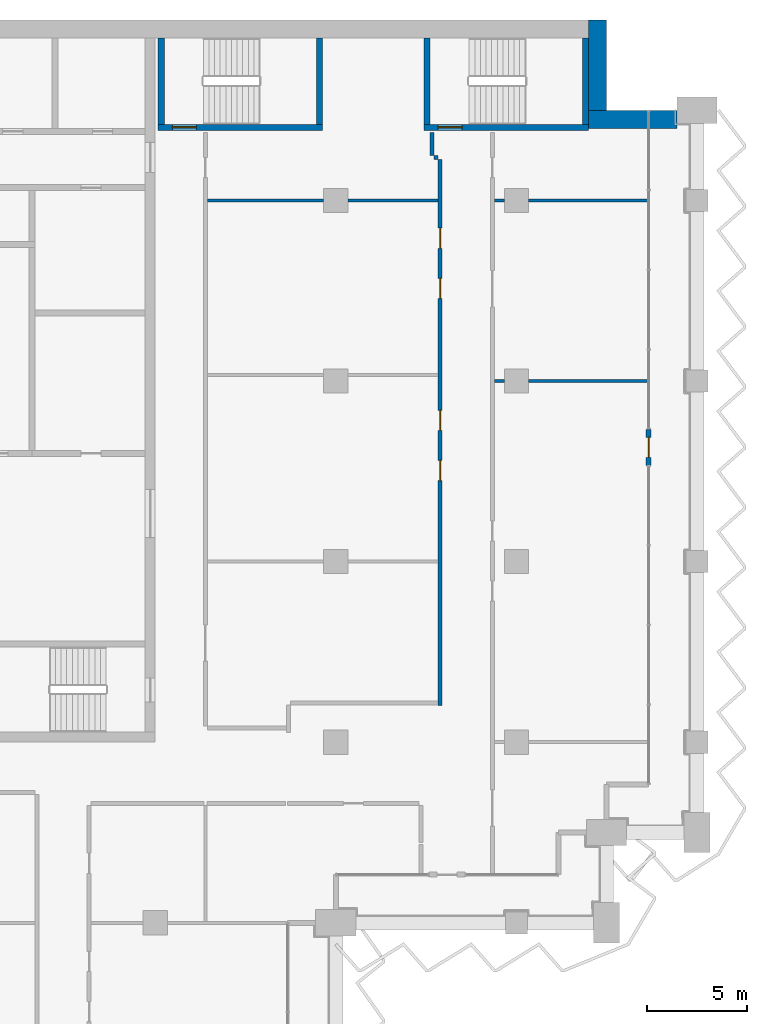
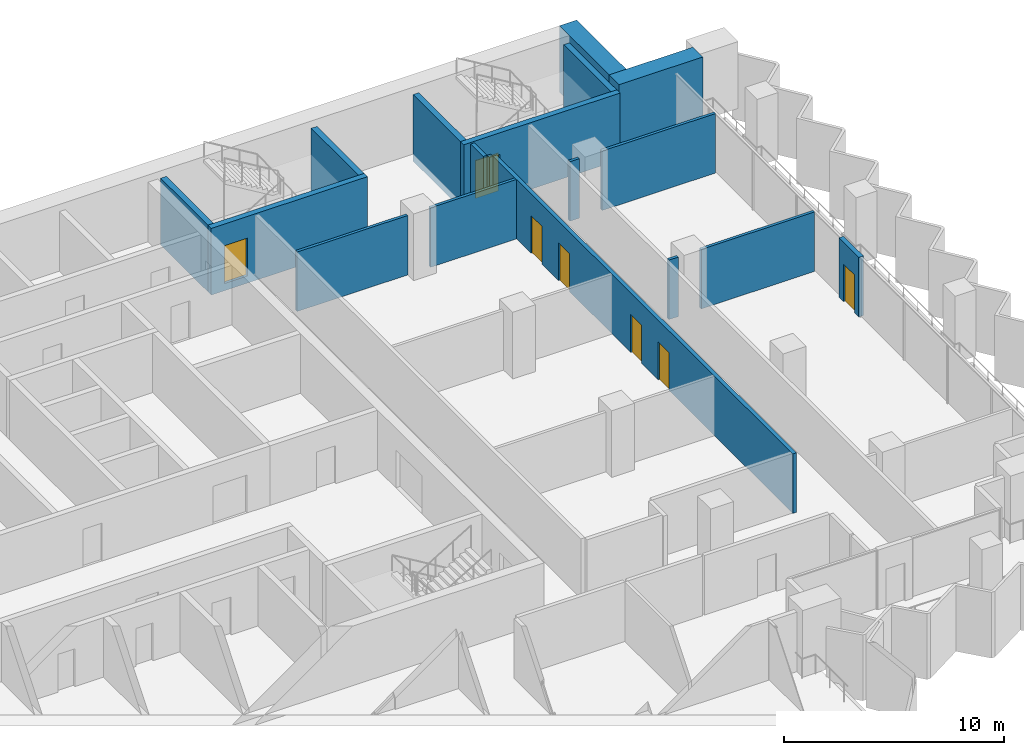
# One storey, part 15 of 23: 18 walls, 7 doors, 7 openings.
"""IFC4 building model written with IfcOpenShell, lengths in metres."""

from ifc_helpers import new_model, si_unit, direction, frame, frame_2d, origin, place, context, subcontext, project, spatial, rectangle, extrude, material, layer, layer_set, type_object, element, fill, save


model = new_model("IFC4")

# Units and contexts
model_context = context("Model", 3, precision=1e-05, world=origin(), true_north=direction((0.0, 1.0)))
body_context = subcontext(model_context, "Body", "Model", "MODEL_VIEW")
ifc_project = project(units=[si_unit("LENGTHUNIT", "METRE"), si_unit("AREAUNIT", "SQUARE_METRE"), si_unit("VOLUMEUNIT", "CUBIC_METRE"), si_unit("PLANEANGLEUNIT", "RADIAN"), si_unit("MASSUNIT", "GRAM", prefix="KILO")], contexts=[model_context])

# Site, building, storey
site_placement = place(None, origin())
site = spatial("IfcSite", under=ifc_project, at=site_placement, CompositionType="ELEMENT")
building_placement = place(site_placement, origin())
building = spatial("IfcBuilding", under=site, at=building_placement, Name="Hunhe Ridgeline Campus", CompositionType="ELEMENT")
storey_placement = place(building_placement, frame((0.0, 0.0, 148.60009765625)))
storey = spatial("IfcBuildingStorey", under=building, at=storey_placement, Name="L37", CompositionType="ELEMENT", Elevation=148.60009765625)

# Walls
ifc_material_1 = material(Name="Gypsum board partition")
ifc_layer_1 = layer(ifc_material_1, 0.199951171875)
ifc_layer_set_1 = layer_set([ifc_layer_1], Name="Corridor partition 200 gypsum board on steel studs")
wall_type_1 = type_object("IfcWallType", Name="Corridor partition 200 gypsum board on steel studs", PredefinedType="PARTITIONING", material=ifc_layer_set_1)
wall_1_placement = place(storey_placement, frame((50.10009765625, 92.14990234375, 0.0), z_axis=(0.0, 0.0, 1.0), x_axis=(-1.0, 0.0, 0.0)))
element("IfcWall", 1, at=wall_1_placement, inside=storey, type_object=wall_type_1, Name="F-L37-wall-058", PredefinedType="PARTITIONING", context=body_context, shape_type="SweptSolid", body=[
    extrude(rectangle(XDim=0.2001953125, YDim=0.199951171875, at=frame_2d((0.10009765625, 0.0))), origin(), (0.0, 0.0, 1.0), 3.2998046875),
])
wall_2_placement = place(storey_placement, frame((49.800048828125, 92.25, 0.0), z_axis=(0.0, 0.0, 1.0), x_axis=(0.0, 1.0, 0.0)))
element("IfcWall", 2, at=wall_2_placement, inside=storey, type_object=wall_type_1, Name="F-L37-wall-074", PredefinedType="PARTITIONING", context=body_context, shape_type="SweptSolid", body=[
    extrude(rectangle(XDim=1.14599609375, YDim=0.199951171875, at=frame_2d((0.572998046875, 0.0))), origin(), (0.0, 0.0, 1.0), 3.2998046875),
])

# Wall, openings, doors
wall_3_placement = place(storey_placement, frame((50.199951171875, 64.820068359375, 0.0), z_axis=(0.0, 0.0, 1.0), x_axis=(0.0, 1.0, 0.0)))
wall_3 = element("IfcWall", 3, at=wall_3_placement, inside=storey, type_object=wall_type_1, Name="F-L37-wall-075", PredefinedType="PARTITIONING", context=body_context, shape_type="SweptSolid", body=[
    extrude(rectangle(XDim=27.22998046875, YDim=0.199951171875, at=frame_2d((13.614990234375, 0.0))), origin(), (0.0, 0.0, 1.0), 3.2998046875),
])
opening_1_placement = place(wall_3_placement, frame((11.22412109375, 0.0, 0.0)))
opening_1 = element("IfcOpeningElement", 4, at=opening_1_placement, cuts=wall_3, Name="Opening RD1-031", PredefinedType="OPENING", context=body_context, shape_type="SweptSolid", body=[
    extrude(rectangle(XDim=1.0, YDim=2.10009765625, at=frame_2d((0.5, 1.050048828125))), frame((0.0, 0.10009765625, 0.0), z_axis=(0.0, -1.0, 0.0), x_axis=(1.0, 0.0, 0.0)), (0.0, 0.0, 1.0), 0.199951171875),
])
opening_2_placement = place(wall_3_placement, frame((13.72412109375, 0.0, 0.0)))
opening_2 = element("IfcOpeningElement", 5, at=opening_2_placement, cuts=wall_3, Name="Opening RD1-032", PredefinedType="OPENING", context=body_context, shape_type="SweptSolid", body=[
    extrude(rectangle(XDim=1.0, YDim=2.10009765625, at=frame_2d((0.5, 1.050048828125))), frame((0.0, 0.10009765625, 0.0), z_axis=(0.0, -1.0, 0.0), x_axis=(1.0, 0.0, 0.0)), (0.0, 0.0, 1.0), 0.199951171875),
])
opening_3_placement = place(wall_3_placement, frame((20.300537109375, 0.0, 0.0)))
opening_3 = element("IfcOpeningElement", 6, at=opening_3_placement, cuts=wall_3, Name="Opening RD1-033", PredefinedType="OPENING", context=body_context, shape_type="SweptSolid", body=[
    extrude(rectangle(XDim=1.0, YDim=2.10009765625, at=frame_2d((0.5, 1.050048828125))), frame((0.0, 0.10009765625, 0.0), z_axis=(0.0, -1.0, 0.0), x_axis=(1.0, 0.0, 0.0)), (0.0, 0.0, 1.0), 0.199951171875),
])
opening_4_placement = place(wall_3_placement, frame((22.800537109375, 0.0, 0.0)))
opening_4 = element("IfcOpeningElement", 7, at=opening_4_placement, cuts=wall_3, Name="Opening RD1-035", PredefinedType="OPENING", context=body_context, shape_type="SweptSolid", body=[
    extrude(rectangle(XDim=1.0, YDim=2.10009765625, at=frame_2d((0.5, 1.050048828125))), frame((0.0, 0.10009765625, 0.0), z_axis=(0.0, -1.0, 0.0), x_axis=(1.0, 0.0, 0.0)), (0.0, 0.0, 1.0), 0.199951171875),
])
ifc_material_2 = material(Name="Timber door leaf", Category="wood")
door_type_1 = type_object("IfcDoorType", Name="Single fire door 1000x2100 timber FD60", OperationType="NOTDEFINED", PredefinedType="DOOR", material=ifc_material_2)
door_1_placement = place(opening_1_placement, frame((1.0, 0.0, 0.0), z_axis=(0.0, 0.0, 1.0), x_axis=(-1.0, 0.0, 0.0)))
door_1 = element("IfcDoor", 8, at=door_1_placement, inside=storey, type_object=door_type_1, Name="F-L37-door-031", OperationType="SINGLE_SWING_LEFT", OverallHeight=2.10009765625, OverallWidth=1.0, PredefinedType="DOOR", context=body_context, shape_type="SweptSolid", body=[
    extrude(rectangle(XDim=1.0, YDim=2.10009765625, at=frame_2d((0.5, 1.050048828125))), frame((0.0, 0.02490234375, 0.0), z_axis=(0.0, -1.0, 0.0), x_axis=(1.0, 0.0, 0.0)), (0.0, 0.0, 1.0), 0.050048828125),
])
fill(opening_1, door_1)
door_2_placement = place(opening_2_placement, frame((1.0, 0.0, 0.0), z_axis=(0.0, 0.0, 1.0), x_axis=(-1.0, 0.0, 0.0)))
door_2 = element("IfcDoor", 9, at=door_2_placement, inside=storey, type_object=door_type_1, Name="F-L37-door-032", OperationType="SINGLE_SWING_LEFT", OverallHeight=2.10009765625, OverallWidth=1.0, PredefinedType="DOOR", context=body_context, shape_type="SweptSolid", body=[
    extrude(rectangle(XDim=1.0, YDim=2.10009765625, at=frame_2d((0.5, 1.050048828125))), frame((0.0, 0.02490234375, 0.0), z_axis=(0.0, -1.0, 0.0), x_axis=(1.0, 0.0, 0.0)), (0.0, 0.0, 1.0), 0.050048828125),
])
fill(opening_2, door_2)
door_3_placement = place(opening_3_placement, frame((1.0, 0.0, 0.0), z_axis=(0.0, 0.0, 1.0), x_axis=(-1.0, 0.0, 0.0)))
door_3 = element("IfcDoor", 10, at=door_3_placement, inside=storey, type_object=door_type_1, Name="F-L37-door-033", OperationType="SINGLE_SWING_LEFT", OverallHeight=2.10009765625, OverallWidth=1.0, PredefinedType="DOOR", context=body_context, shape_type="SweptSolid", body=[
    extrude(rectangle(XDim=1.0, YDim=2.10009765625, at=frame_2d((0.5, 1.050048828125))), frame((0.0, 0.02490234375, 0.0), z_axis=(0.0, -1.0, 0.0), x_axis=(1.0, 0.0, 0.0)), (0.0, 0.0, 1.0), 0.050048828125),
])
fill(opening_3, door_3)
door_4_placement = place(opening_4_placement, frame((1.0, 0.0, 0.0), z_axis=(0.0, 0.0, 1.0), x_axis=(-1.0, 0.0, 0.0)))
door_4 = element("IfcDoor", 11, at=door_4_placement, inside=storey, type_object=door_type_1, Name="F-L37-door-035", OperationType="SINGLE_SWING_LEFT", OverallHeight=2.10009765625, OverallWidth=1.0, PredefinedType="DOOR", context=body_context, shape_type="SweptSolid", body=[
    extrude(rectangle(XDim=1.0, YDim=2.10009765625, at=frame_2d((0.5, 1.050048828125))), frame((0.0, 0.02490234375, 0.0), z_axis=(0.0, -1.0, 0.0), x_axis=(1.0, 0.0, 0.0)), (0.0, 0.0, 1.0), 0.050048828125),
])
fill(opening_4, door_4)

# Wall, opening, door
ifc_material_3 = material(Name="Concrete C30", Category="concrete")
ifc_layer_2 = layer(ifc_material_3, 0.25)
ifc_layer_set_2 = layer_set([ifc_layer_2], Name="Loggia door pier wall 250 Concrete C30")
wall_type_2 = type_object("IfcWallType", Name="Loggia door pier wall 250 Concrete C30", PredefinedType="SOLIDWALL", material=ifc_layer_set_2)
wall_4_placement = place(storey_placement, frame((60.59912109375, 76.800537109375, 0.0), z_axis=(0.0, 0.0, 1.0), x_axis=(0.0, 1.0, 0.0)))
wall_4 = element("IfcWall", 12, at=wall_4_placement, inside=storey, type_object=wall_type_2, Name="Loggia door pier 4", PredefinedType="SOLIDWALL", context=body_context, shape_type="SweptSolid", body=[
    extrude(rectangle(XDim=1.800048828125, YDim=0.25, at=frame_2d((0.89990234375, 0.0))), origin(), (0.0, 0.0, 1.0), 3.2998046875),
])
opening_5_placement = place(wall_4_placement, frame((0.39990234375, 0.0, 0.0)))
opening_5 = element("IfcOpeningElement", 13, at=opening_5_placement, cuts=wall_4, Name="Opening BD307", PredefinedType="OPENING", context=body_context, shape_type="SweptSolid", body=[
    extrude(rectangle(XDim=1.0, YDim=2.10009765625, at=frame_2d((0.5, 1.050048828125))), frame((0.0, 0.125, 0.0), z_axis=(0.0, -1.0, 0.0), x_axis=(1.0, 0.0, 0.0)), (0.0, 0.0, 1.0), 0.25),
])
ifc_material_4 = material(Name="Aluminium 6063", Category="aluminium")
door_type_2 = type_object("IfcDoorType", Name="Loggia glazed door 1000x2100", OperationType="NOTDEFINED", PredefinedType="DOOR", material=ifc_material_4)
door_5_placement = place(opening_5_placement, frame((1.0, 0.0, 0.0), z_axis=(0.0, 0.0, 1.0), x_axis=(-1.0, 0.0, 0.0)))
door_5 = element("IfcDoor", 14, at=door_5_placement, inside=storey, type_object=door_type_2, Name="Loggia door BD307", OperationType="SINGLE_SWING_RIGHT", OverallHeight=2.10009765625, OverallWidth=1.0, PredefinedType="DOOR", context=body_context, shape_type="SweptSolid", body=[
    extrude(rectangle(XDim=1.0, YDim=2.10009765625, at=frame_2d((0.5, 1.050048828125))), frame((0.0, 0.02490234375, 0.0), z_axis=(0.0, -1.0, 0.0), x_axis=(1.0, 0.0, 0.0)), (0.0, 0.0, 1.0), 0.050048828125),
])
fill(opening_5, door_5)

# Walls
ifc_layer_3 = layer(ifc_material_1, 0.14990234375)
ifc_layer_set_3 = layer_set([ifc_layer_3], Name="Room partition 150 gypsum board on steel studs")
wall_type_3 = type_object("IfcWallType", Name="Room partition 150 gypsum board on steel studs", PredefinedType="PARTITIONING", material=ifc_layer_set_3)
wall_5_placement = place(storey_placement, frame((52.89990234375, 81.0, 0.0), z_axis=(0.0, 0.0, 1.0), x_axis=(1.0, 0.0, 0.0)))
element("IfcWall", 15, at=wall_5_placement, inside=storey, type_object=wall_type_3, Name="F-L37-wall-050", PredefinedType="PARTITIONING", context=body_context, shape_type="SweptSolid", body=[
    extrude(rectangle(XDim=0.5, YDim=0.14990234375, at=frame_2d((0.25, 0.0))), origin(), (0.0, 0.0, 1.0), 3.2998046875),
])
wall_6_placement = place(storey_placement, frame((54.60009765625, 81.0, 0.0), z_axis=(0.0, 0.0, 1.0), x_axis=(1.0, 0.0, 0.0)))
element("IfcWall", 16, at=wall_6_placement, inside=storey, type_object=wall_type_3, Name="F-L37-wall-051", PredefinedType="PARTITIONING", context=body_context, shape_type="SweptSolid", body=[
    extrude(rectangle(XDim=5.94482421875, YDim=0.14990234375, at=frame_2d((2.972412109375, 0.0))), origin(), (0.0, 0.0, 1.0), 3.2998046875),
])
wall_7_placement = place(storey_placement, frame((38.60009765625, 90.0, 0.0), z_axis=(0.0, 0.0, 1.0), x_axis=(1.0, 0.0, 0.0)))
element("IfcWall", 17, at=wall_7_placement, inside=storey, type_object=wall_type_3, Name="F-L37-wall-054", PredefinedType="PARTITIONING", context=body_context, shape_type="SweptSolid", body=[
    extrude(rectangle(XDim=5.7998046875, YDim=0.14990234375, at=frame_2d((2.89990234375, 0.0))), origin(), (0.0, 0.0, 1.0), 3.2998046875),
])
wall_8_placement = place(storey_placement, frame((45.60009765625, 90.0, 0.0), z_axis=(0.0, 0.0, 1.0), x_axis=(1.0, 0.0, 0.0)))
element("IfcWall", 18, at=wall_8_placement, inside=storey, type_object=wall_type_3, Name="F-L37-wall-055", PredefinedType="PARTITIONING", context=body_context, shape_type="SweptSolid", body=[
    extrude(rectangle(XDim=4.5, YDim=0.14990234375, at=frame_2d((2.25, 0.0))), origin(), (0.0, 0.0, 1.0), 3.2998046875),
])
wall_9_placement = place(storey_placement, frame((52.89990234375, 90.0, 0.0), z_axis=(0.0, 0.0, 1.0), x_axis=(1.0, 0.0, 0.0)))
element("IfcWall", 19, at=wall_9_placement, inside=storey, type_object=wall_type_3, Name="F-L37-wall-056", PredefinedType="PARTITIONING", context=body_context, shape_type="SweptSolid", body=[
    extrude(rectangle(XDim=0.5, YDim=0.14990234375, at=frame_2d((0.25, 0.0))), origin(), (0.0, 0.0, 1.0), 3.2998046875),
])
wall_10_placement = place(storey_placement, frame((54.60009765625, 90.0, 0.0), z_axis=(0.0, 0.0, 1.0), x_axis=(1.0, 0.0, 0.0)))
element("IfcWall", 20, at=wall_10_placement, inside=storey, type_object=wall_type_3, Name="F-L37-wall-057", PredefinedType="PARTITIONING", context=body_context, shape_type="SweptSolid", body=[
    extrude(rectangle(XDim=5.94482421875, YDim=0.14990234375, at=frame_2d((2.972412109375, 0.0))), origin(), (0.0, 0.0, 1.0), 3.2998046875),
])
ifc_material_5 = material(Name="Concrete C70", Category="concrete")
ifc_layer_4 = layer(ifc_material_5, 0.89990234375)
ifc_layer_set_4 = layer_set([ifc_layer_4], Name="Spine wall 900 Concrete C70")
wall_type_4 = type_object("IfcWallType", Name="Spine wall 900 Concrete C70", PredefinedType="SHEAR", material=ifc_layer_set_4)
wall_11_placement = place(storey_placement, frame((62.0, 94.050048828125, 0.0), z_axis=(0.0, 0.0, 1.0), x_axis=(-1.0, 0.0, 0.0)))
element("IfcWall", 21, at=wall_11_placement, inside=storey, type_object=wall_type_4, Name="Spine wall SW2-2 L37", PredefinedType="SHEAR", context=body_context, shape_type="SweptSolid", body=[
    extrude(rectangle(XDim=4.400390625, YDim=0.89990234375, at=frame_2d((2.2001953125, 0.0))), origin(), (0.0, 0.0, 1.0), 3.699951171875),
])
wall_12_placement = place(storey_placement, frame((58.050048828125, 93.60009765625, 0.0), z_axis=(0.0, 0.0, 1.0), x_axis=(0.0, 1.0, 0.0)))
element("IfcWall", 22, at=wall_12_placement, inside=storey, type_object=wall_type_4, Name="Spine wall SW2-3 L37", PredefinedType="SHEAR", context=body_context, shape_type="SweptSolid", body=[
    extrude(rectangle(XDim=5.39990234375, YDim=0.89990234375, at=frame_2d((2.699951171875, 0.0))), origin(), (0.0, 0.0, 1.0), 3.699951171875),
])

# Wall, opening, door
ifc_layer_5 = layer(ifc_material_5, 0.300048828125)
ifc_layer_set_5 = layer_set([ifc_layer_5], Name="Stair wall 300 reinforced concrete C70")
wall_type_5 = type_object("IfcWallType", Name="Stair wall 300 reinforced concrete C70", PredefinedType="SOLIDWALL", material=ifc_layer_set_5)
wall_13_placement = place(storey_placement, frame((36.14990234375, 93.64990234375, -0.400146484375), z_axis=(0.0, 0.0, 1.0), x_axis=(1.0, 0.0, 0.0)))
wall_13 = element("IfcWall", 23, at=wall_13_placement, inside=storey, type_object=wall_type_5, Name="L37 core wall 28", PredefinedType="SOLIDWALL", context=body_context, shape_type="SweptSolid", body=[
    extrude(rectangle(XDim=8.2001953125, YDim=0.300048828125, at=frame_2d((4.10009765625, 0.0))), origin(), (0.0, 0.0, 1.0), 3.699951171875),
])
opening_6_placement = place(wall_13_placement, frame((0.699951171875, 0.0, 0.39990234375)))
opening_6 = element("IfcOpeningElement", 24, at=opening_6_placement, cuts=wall_13, Name="Opening CD17", PredefinedType="OPENING", context=body_context, shape_type="SweptSolid", body=[
    extrude(rectangle(XDim=1.199951171875, YDim=2.10009765625, at=frame_2d((0.60009765625, 1.050048828125))), frame((0.0, 0.14990234375, 0.0), z_axis=(0.0, -1.0, 0.0), x_axis=(1.0, 0.0, 0.0)), (0.0, 0.0, 1.0), 0.300048828125),
])
ifc_material_6 = material(Name="Hollow metal fire door leaf")
door_type_3 = type_object("IfcDoorType", Name="Stair door 1200x2100 FD60", OperationType="SINGLE_SWING_LEFT", PredefinedType="DOOR", material=ifc_material_6)
door_6_placement = place(opening_6_placement, frame((1.199951171875, 0.0, 0.0), z_axis=(0.0, 0.0, 1.0), x_axis=(-1.0, 0.0, 0.0)))
door_6 = element("IfcDoor", 25, at=door_6_placement, inside=storey, type_object=door_type_3, Name="L37 door E1", OperationType="SINGLE_SWING_RIGHT", OverallHeight=2.10009765625, OverallWidth=1.199951171875, PredefinedType="DOOR", context=body_context, shape_type="SweptSolid", body=[
    extrude(rectangle(XDim=1.199951171875, YDim=2.10009765625, at=frame_2d((0.60009765625, 1.050048828125))), frame((0.0, 0.02490234375, 0.0), z_axis=(0.0, -1.0, 0.0), x_axis=(1.0, 0.0, 0.0)), (0.0, 0.0, 1.0), 0.050048828125),
])
fill(opening_6, door_6)

wall_14_placement = place(storey_placement, frame((49.39990234375, 93.64990234375, -0.400146484375), z_axis=(0.0, 0.0, 1.0), x_axis=(1.0, 0.0, 0.0)))
wall_14 = element("IfcWall", 26, at=wall_14_placement, inside=storey, type_object=wall_type_5, Name="L37 core wall 29", PredefinedType="SOLIDWALL", context=body_context, shape_type="SweptSolid", body=[
    extrude(rectangle(XDim=8.2001953125, YDim=0.300048828125, at=frame_2d((4.10009765625, 0.0))), origin(), (0.0, 0.0, 1.0), 3.699951171875),
])
opening_7_placement = place(wall_14_placement, frame((0.699951171875, 0.0, 0.39990234375)))
opening_7 = element("IfcOpeningElement", 27, at=opening_7_placement, cuts=wall_14, Name="Opening CD18", PredefinedType="OPENING", context=body_context, shape_type="SweptSolid", body=[
    extrude(rectangle(XDim=1.199951171875, YDim=2.10009765625, at=frame_2d((0.60009765625, 1.050048828125))), frame((0.0, 0.14990234375, 0.0), z_axis=(0.0, -1.0, 0.0), x_axis=(1.0, 0.0, 0.0)), (0.0, 0.0, 1.0), 0.300048828125),
])
door_7_placement = place(opening_7_placement, frame((1.199951171875, 0.0, 0.0), z_axis=(0.0, 0.0, 1.0), x_axis=(-1.0, 0.0, 0.0)))
door_7 = element("IfcDoor", 28, at=door_7_placement, inside=storey, type_object=door_type_3, Name="L37 door E2", OperationType="SINGLE_SWING_LEFT", OverallHeight=2.10009765625, OverallWidth=1.199951171875, PredefinedType="DOOR", context=body_context, shape_type="SweptSolid", body=[
    extrude(rectangle(XDim=1.199951171875, YDim=2.10009765625, at=frame_2d((0.60009765625, 1.050048828125))), frame((0.0, 0.02490234375, 0.0), z_axis=(0.0, -1.0, 0.0), x_axis=(1.0, 0.0, 0.0)), (0.0, 0.0, 1.0), 0.050048828125),
])
fill(opening_7, door_7)

# Walls
for number, where, z_axis, x_axis, name in (
    (29, (36.300048828125, 93.800048828125, -0.400146484375), (0.0, 0.0, 1.0), (0.0, 1.0, 0.0), "L37 core wall 61"),
    (30, (44.199951171875, 93.800048828125, -0.400146484375), (0.0, 0.0, 1.0), (0.0, 1.0, 0.0), "L37 core wall 62"),
    (31, (49.550048828125, 93.800048828125, -0.400146484375), (0.0, 0.0, 1.0), (0.0, 1.0, 0.0), "L37 core wall 63"),
    (32, (57.449951171875, 93.800048828125, -0.400146484375), (0.0, 0.0, 1.0), (0.0, 1.0, 0.0), "L37 core wall 64"),
):
    element("IfcWall", number, at=place(storey_placement, frame(where, z_axis=z_axis, x_axis=x_axis)), inside=storey, type_object=wall_type_5, Name=name, PredefinedType="SOLIDWALL", context=body_context, shape_type="SweptSolid", body=[
        extrude(rectangle(XDim=4.300048828125, YDim=0.300048828125, at=frame_2d((2.14990234375, 0.0))), origin(), (0.0, 0.0, 1.0), 3.699951171875),
    ])

save(model, "model.ifc")
